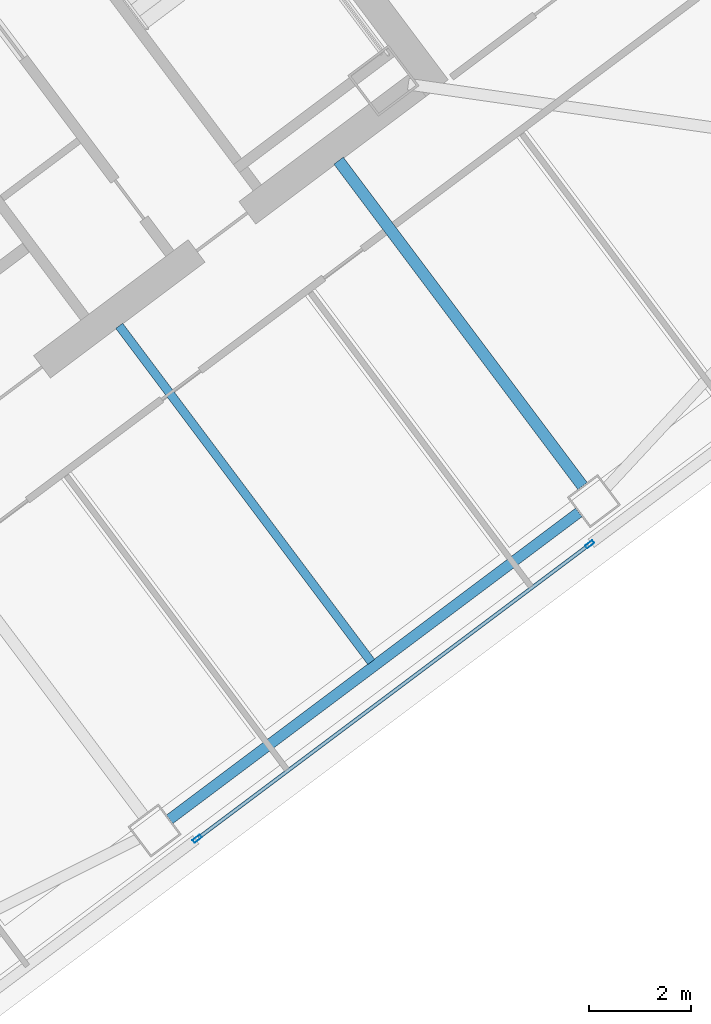
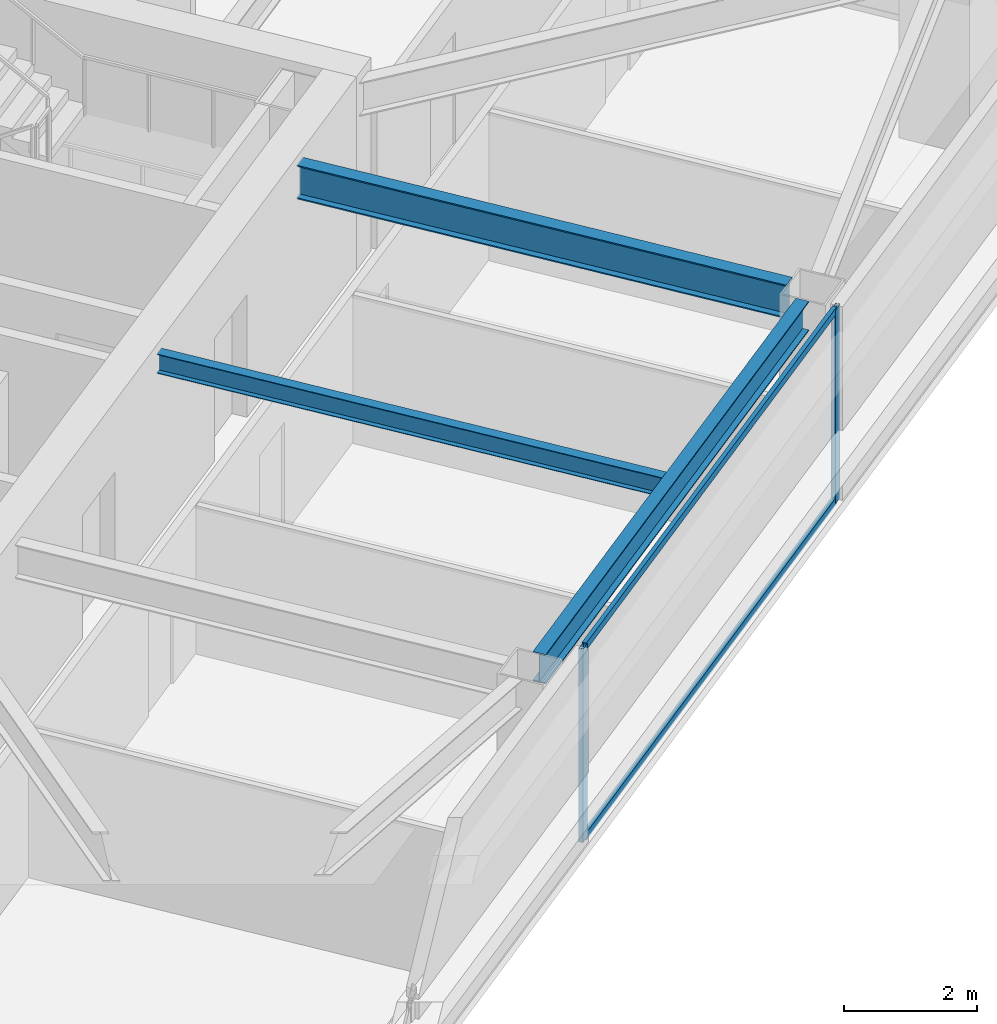
# One storey, part 21 of 41: 4 members, 3 beams, 1 element without a shape of its own.
"""IFC4 building model written with IfcOpenShell, lengths in metres."""

from ifc_helpers import new_model, si_unit, direction, frame, origin, origin_2d, place, context, subcontext, project, spatial, hollow_rectangle, i_section, extrude, material, material_profile, profile_set, type_object, element, aggregate, save


model = new_model("IFC4")

# Units and contexts
model_context = context("Model", 3, precision=1e-05, world=origin(), true_north=direction((0.0, 1.0)))
body_context = subcontext(model_context, "Body", "Model", "MODEL_VIEW")
ifc_project = project(units=[si_unit("LENGTHUNIT", "METRE"), si_unit("AREAUNIT", "SQUARE_METRE"), si_unit("VOLUMEUNIT", "CUBIC_METRE"), si_unit("PLANEANGLEUNIT", "RADIAN"), si_unit("MASSUNIT", "GRAM", prefix="KILO")], contexts=[model_context])

# Site, building, storey
site_placement = place(None, origin())
site = spatial("IfcSite", under=ifc_project, at=site_placement, CompositionType="ELEMENT")
building_placement = place(site_placement, origin())
building = spatial("IfcBuilding", under=site, at=building_placement, Name="Tashvorn Skyway Center", CompositionType="ELEMENT")
storey_placement = place(building_placement, frame((0.0, 0.0, 174.75)))
storey = spatial("IfcBuildingStorey", under=building, at=storey_placement, Name="L47", CompositionType="ELEMENT", Elevation=174.75)

# Beams
ifc_material_1 = material(Name="Steel ASTM A992 Grade 50", Category="steel")
ifc_material_profile_1 = material_profile(ifc_material_1, i_section(OverallWidth=0.22998046875, OverallDepth=0.616943359375, WebThickness=0.01318359375, FlangeThickness=0.022216796875, at=origin_2d()), Name="W24X94")
ifc_profile_set_1 = profile_set([ifc_material_profile_1], Name="Steel ASTM A992 Grade 50")
beam_type_1 = type_object("IfcBeamType", Name="BM-BEAM-W24X94", PredefinedType="BEAM", material=ifc_profile_set_1)
beam_1_placement = place(storey_placement, frame((127.7880859375, 22.615966796875, 3.0615234375), z_axis=(-0.599995117266, 0.800003662027, 0.0), x_axis=(-0.800003662027, -0.599995117266, 0.0)))
element("IfcBeam", 1, at=beam_1_placement, inside=storey, type_object=beam_type_1, Name="Tower 2 L47 Primary Floor Girder FC-S2", PredefinedType="BEAM", context=body_context, shape_type="SweptSolid", body=[
    extrude(i_section(OverallWidth=0.22998046875, OverallDepth=0.616943359375, WebThickness=0.01318359375, FlangeThickness=0.022216796875, at=origin_2d()), origin(), (0.0, 0.0, 1.0), 8.000244140625),
])
ifc_material_profile_2 = material_profile(ifc_material_1, i_section(OverallWidth=0.1708984375, OverallDepth=0.35498046875, WebThickness=0.007080078125, FlangeThickness=0.01171875, at=origin_2d()), Name="W14X34")
ifc_profile_set_2 = profile_set([ifc_material_profile_2], Name="Steel ASTM A992 Grade 50")
beam_type_2 = type_object("IfcBeamType", Name="BM-JOIST-W14X34", PredefinedType="JOIST", material=ifc_profile_set_2)
beam_2_placement = place(storey_placement, frame((118.674072265625, 25.76806640625, 3.1923828125), z_axis=(0.59999527236, -0.800003545708, 0.0), x_axis=(0.800003545708, 0.59999527236, 0.0)))
element("IfcBeam", 2, at=beam_2_placement, inside=storey, type_object=beam_type_2, Name="Tower 2 L47 Secondary Composite Joist JS", PredefinedType="JOIST", context=body_context, shape_type="SweptSolid", body=[
    extrude(i_section(OverallWidth=0.1708984375, OverallDepth=0.35498046875, WebThickness=0.007080078125, FlangeThickness=0.01171875, at=origin_2d()), origin(), (0.0, 0.0, 1.0), 8.2626953125),
])
ifc_material_profile_3 = material_profile(ifc_material_1, i_section(OverallWidth=0.2109375, OverallDepth=0.5390625, WebThickness=0.01171875, FlangeThickness=0.018798828125, at=origin_2d()), Name="W21X73")
ifc_profile_set_3 = profile_set([ifc_material_profile_3], Name="Steel ASTM A992 Grade 50")
beam_type_3 = type_object("IfcBeamType", Name="BM-SPANDREL-W21X73", PredefinedType="SPANDREL", material=ifc_profile_set_3)
beam_3_placement = place(storey_placement, frame((119.666015625, 16.06201171875, 3.1005859375), z_axis=(0.800008736549, 0.599988351091, 0.0), x_axis=(-0.599988351091, 0.800008736549, 0.0)))
element("IfcBeam", 3, at=beam_3_placement, inside=storey, type_object=beam_type_3, Name="Tower 2 L47 Spandrel Beam 02", PredefinedType="SPANDREL", context=body_context, shape_type="SweptSolid", body=[
    extrude(i_section(OverallWidth=0.2109375, OverallDepth=0.5390625, WebThickness=0.01171875, FlangeThickness=0.018798828125, at=origin_2d()), origin(), (0.0, 0.0, 1.0), 10.06005859375),
])

# Curtain wall, members
ifc_material_2 = material(Name="Thermally broken bronze-anodized aluminium 6063-T6", Category="aluminium")
curtain_wall_type = type_object("IfcCurtainWallType", Name="CW-CW-Z4", PredefinedType="NOTDEFINED", material=ifc_material_2)
curtain_wall_placement = place(storey_placement, origin())
curtain_wall = element("IfcCurtainWall", 4, at=curtain_wall_placement, inside=storey, type_object=curtain_wall_type, Name="Tower 2 L47 South Unitised Curtain Wall Glazing Group 2", PredefinedType="NOTDEFINED")
ifc_material_profile_4 = material_profile(ifc_material_2, hollow_rectangle(XDim=0.070068359375, YDim=0.179931640625, WallThickness=0.00390625, at=origin_2d()), Name="ALU-MULL-70x180")
ifc_profile_set_4 = profile_set([ifc_material_profile_4], Name="Thermally broken bronze-anodized aluminium 6063-T6")
member_type_1 = type_object("IfcMemberType", Name="CWM-CW-Z4", PredefinedType="MULLION", material=ifc_profile_set_4)
member_1_placement = place(storey_placement, frame((127.927978515625, 21.470947265625, 0.0), z_axis=(0.0, 0.0, 1.0), x_axis=(0.600000000002, -0.799999999998, 0.0)))
member_1 = element("IfcMember", 5, at=member_1_placement, type_object=member_type_1, Name="CW-Z4 mullion 1", PredefinedType="MULLION", context=body_context, shape_type="SweptSolid", body=[
    extrude(hollow_rectangle(XDim=0.070068359375, YDim=0.179931640625, WallThickness=0.00390625, at=origin_2d()), origin(), (0.0, 0.0, 1.0), 3.550048828125),
])
member_2_placement = place(storey_placement, frame((120.2080078125, 15.680908203125, 0.0), z_axis=(0.0, 0.0, 1.0), x_axis=(0.600000000002, -0.799999999998, 0.0)))
member_2 = element("IfcMember", 6, at=member_2_placement, type_object=member_type_1, Name="CW-Z4 mullion 2", PredefinedType="MULLION", context=body_context, shape_type="SweptSolid", body=[
    extrude(hollow_rectangle(XDim=0.070068359375, YDim=0.179931640625, WallThickness=0.00390625, at=origin_2d()), origin(), (0.0, 0.0, 1.0), 3.550048828125),
])
ifc_material_profile_5 = material_profile(ifc_material_2, hollow_rectangle(XDim=0.070068359375, YDim=0.1298828125, WallThickness=0.00390625, at=origin_2d()), Name="ALU-TRAN-70x130")
ifc_profile_set_5 = profile_set([ifc_material_profile_5], Name="Thermally broken bronze-anodized aluminium 6063-T6")
member_type_2 = type_object("IfcMemberType", Name="CWT-CW-Z4", PredefinedType="USERDEFINED", material=ifc_profile_set_5)
member_3_placement = place(storey_placement, frame((127.89990234375, 21.449951171875, 0.034912109375), z_axis=(-0.799990825408, -0.600012232595, 0.0), x_axis=(0.600012232595, -0.799990825408, 0.0)))
member_3 = element("IfcMember", 7, at=member_3_placement, type_object=member_type_2, Name="CW-Z4 transom 1.1", ObjectType="TRANSOM", PredefinedType="USERDEFINED", context=body_context, shape_type="SweptSolid", body=[
    extrude(hollow_rectangle(XDim=0.070068359375, YDim=0.1298828125, WallThickness=0.00390625, at=origin_2d()), origin(), (0.0, 0.0, 1.0), 9.579833984375),
])
member_4_placement = place(storey_placement, frame((127.89990234375, 21.449951171875, 3.514892578125), z_axis=(-0.799990825408, -0.600012232595, 0.0), x_axis=(0.600012232595, -0.799990825408, 0.0)))
member_4 = element("IfcMember", 8, at=member_4_placement, type_object=member_type_2, Name="CW-Z4 transom 1.2", ObjectType="TRANSOM", PredefinedType="USERDEFINED", context=body_context, shape_type="SweptSolid", body=[
    extrude(hollow_rectangle(XDim=0.070068359375, YDim=0.1298828125, WallThickness=0.00390625, at=origin_2d()), origin(), (0.0, 0.0, 1.0), 9.579833984375),
])
aggregate(curtain_wall, [member_1, member_2, member_3, member_4])

save(model, "model.ifc")
